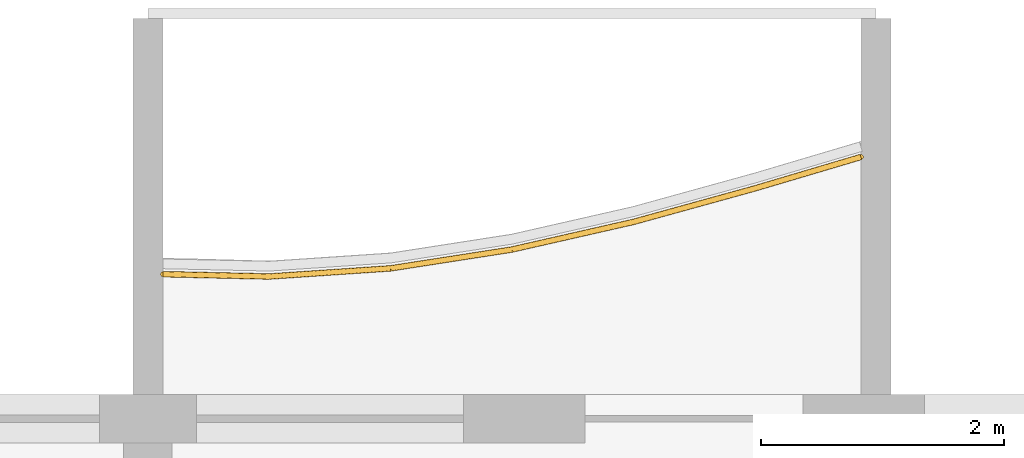
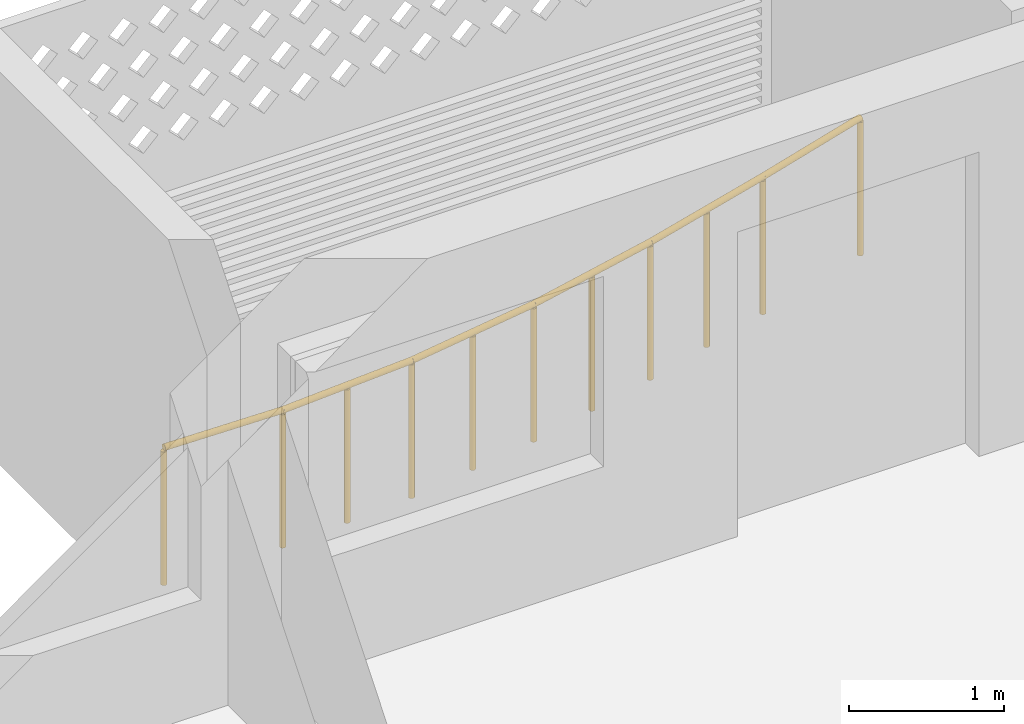
# One storey, part 26 of 38: 1 railing.
"""IFC4 building model written with IfcOpenShell, lengths in metres."""

from ifc_helpers import new_model, si_unit, direction, frame, origin, origin_2d, place, context, subcontext, project, spatial, circle, extrude, material, type_object, element, save


model = new_model("IFC4")

# Units and contexts
model_context = context("Model", 3, precision=1e-05, world=origin(), true_north=direction((0.0, 1.0)))
body_context = subcontext(model_context, "Body", "Model", "MODEL_VIEW")
ifc_project = project(units=[si_unit("LENGTHUNIT", "METRE"), si_unit("AREAUNIT", "SQUARE_METRE"), si_unit("VOLUMEUNIT", "CUBIC_METRE"), si_unit("PLANEANGLEUNIT", "RADIAN"), si_unit("MASSUNIT", "GRAM", prefix="KILO")], contexts=[model_context])

# Site, building, storey
site_placement = place(None, origin())
site = spatial("IfcSite", under=ifc_project, at=site_placement, CompositionType="ELEMENT")
building_placement = place(site_placement, origin())
building = spatial("IfcBuilding", under=site, at=building_placement, Name="Poui Terraces", CompositionType="ELEMENT")
storey_placement = place(building_placement, frame((0.0, 0.0, 49.800048828125)))
storey = spatial("IfcBuildingStorey", under=building, at=storey_placement, Name="L13", CompositionType="ELEMENT", Elevation=49.800048828125)

# Railing
ifc_material = material(Name="Painted steel fretwork", Category="steel")
railing_type = type_object("IfcRailingType", Name="BALCONY GUARD 1100", PredefinedType="GUARDRAIL", material=ifc_material)
railing_placement = place(storey_placement, frame((42.125, 45.9912109375, 0.0)))
element("IfcRailing", 1, at=railing_placement, inside=storey, type_object=railing_type, Name="BALCONY GUARD", PredefinedType="GUARDRAIL", context=body_context, shape_type="SweptSolid", body=[
    extrude(circle(Radius=0.02392578125, at=origin_2d()), frame((0.0, 0.0, 1.076171875), z_axis=(0.99976326146, -0.021758240623, 0.0), x_axis=(0.021758240623, 0.99976326146, 0.0)), (0.0, 0.0, 1.0), 0.875244140625),
    extrude(circle(Radius=0.02392578125, at=origin_2d()), frame((0.875, -0.01904296875, 1.076171875), z_axis=(0.997753790287, 0.066987864338, 0.0), x_axis=(-0.066987864338, 0.997753790287, 0.0)), (0.0, 0.0, 1.0), 1.002197265625),
    extrude(circle(Radius=0.02392578125, at=origin_2d()), frame((1.875, 0.048095703125, 1.076171875), z_axis=(0.9881587723, 0.153434809371, 0.0), x_axis=(-0.153434809371, 0.9881587723, 0.0)), (0.0, 0.0, 1.0), 1.011962890625),
    extrude(circle(Radius=0.02392578125, at=origin_2d()), frame((2.875, 0.203369140625, 1.076171875), z_axis=(0.975128178395, 0.221641683127, 0.0), x_axis=(-0.221641683127, 0.975128178395, 0.0)), (0.0, 0.0, 1.0), 1.025390625),
    extrude(circle(Radius=0.02392578125, at=origin_2d()), frame((3.875, 0.4306640625, 1.076171875), z_axis=(0.963988457226, 0.265944081217, 0.0), x_axis=(-0.265944081217, 0.963988457226, 0.0)), (0.0, 0.0, 1.0), 1.037353515625),
    extrude(circle(Radius=0.02392578125, at=origin_2d()), frame((4.875, 0.70654296875, 1.076171875), z_axis=(0.9587927149, 0.284106546658, 0.0), x_axis=(-0.284106546658, 0.9587927149, 0.0)), (0.0, 0.0, 1.0), 0.91259765625),
    extrude(circle(Radius=0.02099609375, at=origin_2d()), origin(), (0.0, 0.0, 1.0), 1.052001953125),
    extrude(circle(Radius=0.02099609375, at=origin_2d()), frame((0.875, -0.01904296875, 0.0)), (0.0, 0.0, 1.0), 1.052001953125),
    extrude(circle(Radius=0.02099609375, at=origin_2d()), frame((1.375, 0.0146484375, 0.0)), (0.0, 0.0, 1.0), 1.052001953125),
    extrude(circle(Radius=0.02099609375, at=origin_2d()), frame((1.875, 0.048095703125, 0.0)), (0.0, 0.0, 1.0), 1.052001953125),
    extrude(circle(Radius=0.02099609375, at=origin_2d()), frame((2.375, 0.125732421875, 0.0)), (0.0, 0.0, 1.0), 1.052001953125),
    extrude(circle(Radius=0.02099609375, at=origin_2d()), frame((2.875, 0.203369140625, 0.0)), (0.0, 0.0, 1.0), 1.052001953125),
    extrude(circle(Radius=0.02099609375, at=origin_2d()), frame((3.375, 0.31689453125, 0.0)), (0.0, 0.0, 1.0), 1.052001953125),
    extrude(circle(Radius=0.02099609375, at=origin_2d()), frame((3.875, 0.4306640625, 0.0)), (0.0, 0.0, 1.0), 1.052001953125),
    extrude(circle(Radius=0.02099609375, at=origin_2d()), frame((4.375, 0.568603515625, 0.0)), (0.0, 0.0, 1.0), 1.052001953125),
    extrude(circle(Radius=0.02099609375, at=origin_2d()), frame((4.875, 0.70654296875, 0.0)), (0.0, 0.0, 1.0), 1.052001953125),
    extrude(circle(Radius=0.02099609375, at=origin_2d()), frame((5.75, 0.9658203125, 0.0)), (0.0, 0.0, 1.0), 1.052001953125),
])

save(model, "model.ifc")
